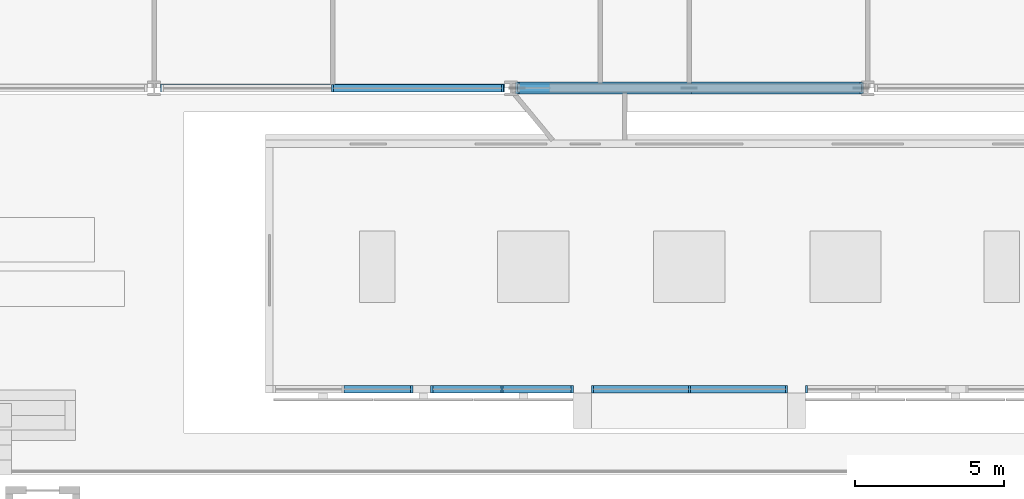
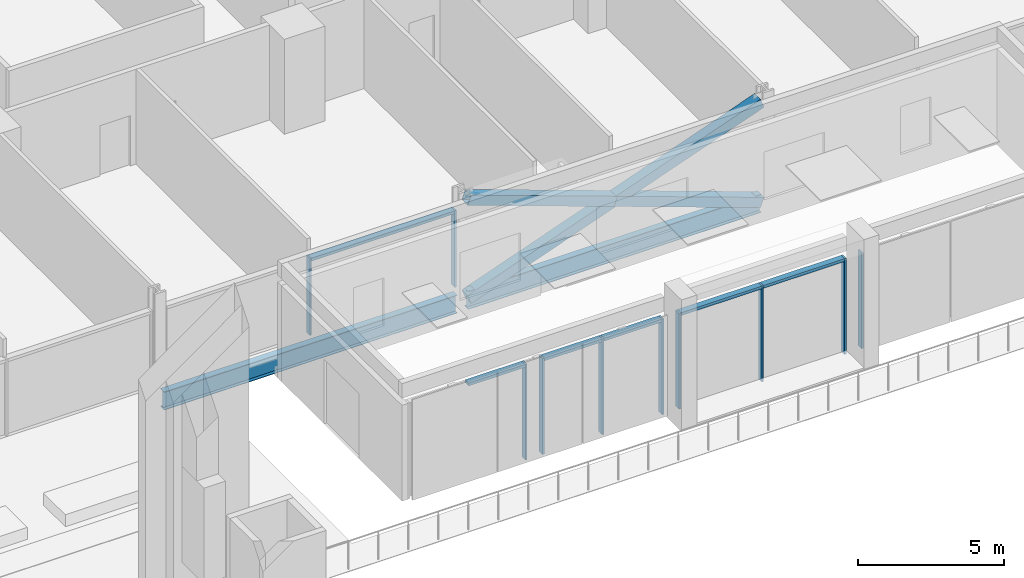
# One storey, part 3 of 39: 19 members, 2 beams, 5 elements without a shape of their own.
"""IFC4 building model written with IfcOpenShell, lengths in metres."""

from ifc_helpers import new_model, si_unit, direction, frame, origin, origin_2d, place, context, subcontext, project, spatial, rectangle, hollow_rectangle, i_section, extrude, material, material_profile, profile_set, type_object, element, aggregate, save


model = new_model("IFC4")

# Units and contexts
model_context = context("Model", 3, precision=1e-05, world=origin(), true_north=direction((0.0, 1.0)))
body_context = subcontext(model_context, "Body", "Model", "MODEL_VIEW")
ifc_project = project(units=[si_unit("LENGTHUNIT", "METRE"), si_unit("AREAUNIT", "SQUARE_METRE"), si_unit("VOLUMEUNIT", "CUBIC_METRE"), si_unit("PLANEANGLEUNIT", "RADIAN"), si_unit("MASSUNIT", "GRAM", prefix="KILO")], contexts=[model_context])

# Site, building, storey
site_placement = place(None, origin())
site = spatial("IfcSite", under=ifc_project, at=site_placement, CompositionType="ELEMENT")
building_placement = place(site_placement, origin())
building = spatial("IfcBuilding", under=site, at=building_placement, Name="Mahtab Terrace Research Tower", CompositionType="ELEMENT")
storey_placement = place(building_placement, frame((0.0, 0.0, 7.199951171875)))
storey = spatial("IfcBuildingStorey", under=building, at=storey_placement, Name="L01", CompositionType="ELEMENT", Elevation=7.199951171875)

# Curtain wall, member
ifc_material_1 = material(Name="Garden pavilion curtain wall")
curtain_wall_type_1 = type_object("IfcCurtainWallType", Name="Garden pavilion curtain wall", PredefinedType="NOTDEFINED", material=ifc_material_1)
curtain_wall_1_placement = place(storey_placement, origin())
curtain_wall_1 = element("IfcCurtainWall", 1, at=curtain_wall_1_placement, inside=storey, type_object=curtain_wall_type_1, Name="PAV.cw.0", PredefinedType="NOTDEFINED")
ifc_material_2 = material(Name="Natural anodised aluminium", Category="aluminium")
ifc_material_profile_1 = material_profile(ifc_material_2, rectangle(XDim=0.239990234375, YDim=0.074951171875, at=origin_2d()), Name="MULLION 75x240")
ifc_profile_set_1 = profile_set([ifc_material_profile_1], Name="Natural anodised aluminium")
member_type_1 = type_object("IfcMemberType", Name="Garden pavilion curtain wall mullion", PredefinedType="MULLION", material=ifc_profile_set_1)
member_1_placement = place(storey_placement, frame((-9.33740234375, -33.125, 0.0), z_axis=(0.0, 0.0, 1.0), x_axis=(0.0, 1.0, 0.0)))
member_1 = element("IfcMember", 2, at=member_1_placement, type_object=member_type_1, Name="CWP-1 mullion 3", PredefinedType="MULLION", context=body_context, shape_type="SweptSolid", body=[
    extrude(rectangle(XDim=0.239990234375, YDim=0.074951171875, at=origin_2d()), origin(), (0.0, 0.0, 1.0), 4.0),
])

# Curtain wall, members
curtain_wall_2_placement = place(storey_placement, origin())
curtain_wall_2 = element("IfcCurtainWall", 3, at=curtain_wall_2_placement, inside=storey, type_object=curtain_wall_type_1, Name="PAV.cw.1", PredefinedType="NOTDEFINED")
member_2_placement = place(storey_placement, frame((-8.66259765625, -33.125, 0.0), z_axis=(0.0, 0.0, 1.0), x_axis=(0.0, 1.0, 0.0)))
member_2 = element("IfcMember", 4, at=member_2_placement, type_object=member_type_1, Name="CWP-1 mullion 1", PredefinedType="MULLION", context=body_context, shape_type="SweptSolid", body=[
    extrude(rectangle(XDim=0.239990234375, YDim=0.074951171875, at=origin_2d()), origin(), (0.0, 0.0, 1.0), 4.0),
])
member_3_placement = place(storey_placement, frame((-6.300048828125, -33.125, 0.0), z_axis=(0.0, 0.0, 1.0), x_axis=(0.0, 1.0, 0.0)))
member_3 = element("IfcMember", 5, at=member_3_placement, type_object=member_type_1, Name="CWP-1 mullion 2", PredefinedType="MULLION", context=body_context, shape_type="SweptSolid", body=[
    extrude(rectangle(XDim=0.239990234375, YDim=0.074951171875, at=origin_2d()), origin(), (0.0, 0.0, 1.0), 4.0),
])
member_4_placement = place(storey_placement, frame((-3.9375, -33.125, 0.0), z_axis=(0.0, 0.0, 1.0), x_axis=(0.0, 1.0, 0.0)))
member_4 = element("IfcMember", 6, at=member_4_placement, type_object=member_type_1, Name="CWP-1 mullion 3", PredefinedType="MULLION", context=body_context, shape_type="SweptSolid", body=[
    extrude(rectangle(XDim=0.239990234375, YDim=0.074951171875, at=origin_2d()), origin(), (0.0, 0.0, 1.0), 4.0),
])

curtain_wall_3_placement = place(storey_placement, origin())
curtain_wall_3 = element("IfcCurtainWall", 7, at=curtain_wall_3_placement, inside=storey, type_object=curtain_wall_type_1, Name="PAV.cw.2", PredefinedType="NOTDEFINED")
member_5_placement = place(storey_placement, frame((-3.262451171875, -33.125, 0.0), z_axis=(0.0, 0.0, 1.0), x_axis=(0.0, 1.0, 0.0)))
member_5 = element("IfcMember", 8, at=member_5_placement, type_object=member_type_1, Name="CWP-1 mullion 1", PredefinedType="MULLION", context=body_context, shape_type="SweptSolid", body=[
    extrude(rectangle(XDim=0.239990234375, YDim=0.074951171875, at=origin_2d()), origin(), (0.0, 0.0, 1.0), 4.0),
])
member_6_placement = place(storey_placement, frame((0.0, -33.125, 0.0), z_axis=(0.0, 0.0, 1.0), x_axis=(0.0, 1.0, 0.0)))
member_6 = element("IfcMember", 9, at=member_6_placement, type_object=member_type_1, Name="CWP-1 mullion 2", PredefinedType="MULLION", context=body_context, shape_type="SweptSolid", body=[
    extrude(rectangle(XDim=0.239990234375, YDim=0.074951171875, at=origin_2d()), origin(), (0.0, 0.0, 1.0), 4.0),
])
member_7_placement = place(storey_placement, frame((3.262451171875, -33.125, 0.0), z_axis=(0.0, 0.0, 1.0), x_axis=(0.0, 1.0, 0.0)))
member_7 = element("IfcMember", 10, at=member_7_placement, type_object=member_type_1, Name="CWP-1 mullion 3", PredefinedType="MULLION", context=body_context, shape_type="SweptSolid", body=[
    extrude(rectangle(XDim=0.239990234375, YDim=0.074951171875, at=origin_2d()), origin(), (0.0, 0.0, 1.0), 4.0),
])

# Curtain wall, member
curtain_wall_4_placement = place(storey_placement, origin())
curtain_wall_4 = element("IfcCurtainWall", 11, at=curtain_wall_4_placement, inside=storey, type_object=curtain_wall_type_1, Name="PAV.cw.3", PredefinedType="NOTDEFINED")
member_8_placement = place(storey_placement, frame((3.9375, -33.125, 0.0), z_axis=(0.0, 0.0, 1.0), x_axis=(0.0, 1.0, 0.0)))
member_8 = element("IfcMember", 12, at=member_8_placement, type_object=member_type_1, Name="CWP-1 mullion 1", PredefinedType="MULLION", context=body_context, shape_type="SweptSolid", body=[
    extrude(rectangle(XDim=0.239990234375, YDim=0.074951171875, at=origin_2d()), origin(), (0.0, 0.0, 1.0), 4.0),
])
aggregate(curtain_wall_4, [member_8])

# Member
ifc_material_profile_2 = material_profile(ifc_material_2, rectangle(XDim=0.239990234375, YDim=0.1201171875, at=origin_2d()), Name="TRANSOM 120x240")
ifc_profile_set_2 = profile_set([ifc_material_profile_2], Name="Natural anodised aluminium")
member_type_2 = type_object("IfcMemberType", Name="Garden pavilion curtain wall transom", PredefinedType="USERDEFINED", material=ifc_profile_set_2)
member_9_placement = place(storey_placement, frame((-11.612548828125, -33.125, 3.93994140625), z_axis=(1.0, 0.0, 0.0), x_axis=(0.0, 1.0, 0.0)))
member_9 = element("IfcMember", 13, at=member_9_placement, type_object=member_type_2, Name="CWP-1 transom 2", ObjectType="TRANSOM", PredefinedType="USERDEFINED", context=body_context, shape_type="SweptSolid", body=[
    extrude(rectangle(XDim=0.239990234375, YDim=0.1201171875, at=origin_2d()), origin(), (0.0, 0.0, 1.0), 2.237548828125),
])

aggregate(curtain_wall_1, [member_1, member_9])

member_10_placement = place(storey_placement, frame((-8.625, -33.125, 3.93994140625), z_axis=(1.0, 0.0, 0.0), x_axis=(0.0, 1.0, 0.0)))
member_10 = element("IfcMember", 14, at=member_10_placement, type_object=member_type_2, Name="CWP-1 transom 1", ObjectType="TRANSOM", PredefinedType="USERDEFINED", context=body_context, shape_type="SweptSolid", body=[
    extrude(rectangle(XDim=0.239990234375, YDim=0.1201171875, at=origin_2d()), origin(), (0.0, 0.0, 1.0), 2.28759765625),
])

member_11_placement = place(storey_placement, frame((-6.262451171875, -33.125, 3.93994140625), z_axis=(1.0, 0.0, 0.0), x_axis=(0.0, 1.0, 0.0)))
member_11 = element("IfcMember", 15, at=member_11_placement, type_object=member_type_2, Name="CWP-1 transom 2", ObjectType="TRANSOM", PredefinedType="USERDEFINED", context=body_context, shape_type="SweptSolid", body=[
    extrude(rectangle(XDim=0.239990234375, YDim=0.1201171875, at=origin_2d()), origin(), (0.0, 0.0, 1.0), 2.287353515625),
])

aggregate(curtain_wall_2, [member_2, member_3, member_4, member_10, member_11])

member_12_placement = place(storey_placement, frame((-3.22509765625, -33.125, 3.93994140625), z_axis=(1.0, 0.0, 0.0), x_axis=(0.0, 1.0, 0.0)))
member_12 = element("IfcMember", 16, at=member_12_placement, type_object=member_type_2, Name="CWP-1 transom 1", ObjectType="TRANSOM", PredefinedType="USERDEFINED", context=body_context, shape_type="SweptSolid", body=[
    extrude(rectangle(XDim=0.239990234375, YDim=0.1201171875, at=origin_2d()), origin(), (0.0, 0.0, 1.0), 3.1875),
])

member_13_placement = place(storey_placement, frame((0.03759765625, -33.125, 3.93994140625), z_axis=(1.0, 0.0, 0.0), x_axis=(0.0, 1.0, 0.0)))
member_13 = element("IfcMember", 17, at=member_13_placement, type_object=member_type_2, Name="CWP-1 transom 2", ObjectType="TRANSOM", PredefinedType="USERDEFINED", context=body_context, shape_type="SweptSolid", body=[
    extrude(rectangle(XDim=0.239990234375, YDim=0.1201171875, at=origin_2d()), origin(), (0.0, 0.0, 1.0), 3.1875),
])

aggregate(curtain_wall_3, [member_5, member_6, member_7, member_12, member_13])

# Members
ifc_material_3 = material(Name="Steel ASTM A500 Gr C", Category="steel")
ifc_material_profile_3 = material_profile(ifc_material_3, hollow_rectangle(XDim=0.406494140625, YDim=0.406494140625, WallThickness=0.01904296875, at=origin_2d()), Name="HSS16X16X3/4")
ifc_profile_set_3 = profile_set([ifc_material_profile_3], Name="Steel ASTM A500 Gr C")
member_type_3 = type_object("IfcMemberType", Name="HSS 16x16x3/4 brace XB161634", PredefinedType="BRACE", material=ifc_profile_set_3)
member_14_placement = place(storey_placement, frame((-5.7841796875, -23.0, -0.64111328125), z_axis=(0.941388097231, 0.0, 0.337325436917), x_axis=(0.0, 1.0, 0.0)))
element("IfcMember", 18, at=member_14_placement, inside=storey, type_object=member_type_3, Name="Exoskeleton brace L01 15 a", PredefinedType="BRACE", context=body_context, shape_type="SweptSolid", body=[
    extrude(hollow_rectangle(XDim=0.406494140625, YDim=0.406494140625, WallThickness=0.01904296875, at=origin_2d()), origin(), (0.0, 0.0, 1.0), 12.28857421875),
])
for number, where, z_axis, x_axis, name in (
    (19, (5.7841796875, -23.0, -0.64111328125), (-0.941381788192, 0.0, 0.337343043295), (0.0, -1.0, 0.0), "Exoskeleton brace L01 15 b1"),
    (20, (0.0, -23.0, 1.431640625), (-0.941394406025, 0.0, 0.337307830185), (0.0, -1.0, 0.0), "Exoskeleton brace L01 15 b2"),
):
    element("IfcMember", number, at=place(storey_placement, frame(where, z_axis=z_axis, x_axis=x_axis)), inside=storey, type_object=member_type_3, Name=name, PredefinedType="BRACE", context=body_context, shape_type="SweptSolid", body=[
        extrude(hollow_rectangle(XDim=0.406494140625, YDim=0.406494140625, WallThickness=0.01904296875, at=origin_2d()), origin(), (0.0, 0.0, 1.0), 6.144287109375),
    ])

# Curtain wall, members
ifc_material_4 = material(Name="Sky lounge full-height curtain wall")
curtain_wall_type_2 = type_object("IfcCurtainWallType", Name="Sky lounge full-height curtain wall", PredefinedType="NOTDEFINED", material=ifc_material_4)
curtain_wall_5_placement = place(storey_placement, origin())
curtain_wall_5 = element("IfcCurtainWall", 21, at=curtain_wall_5_placement, inside=storey, type_object=curtain_wall_type_2, Name="EN.L01.13.24", PredefinedType="NOTDEFINED")
ifc_material_profile_4 = material_profile(ifc_material_2, rectangle(XDim=0.25, YDim=0.070068359375, at=origin_2d()), Name="MULLION 70x250")
ifc_profile_set_4 = profile_set([ifc_material_profile_4], Name="Natural anodised aluminium")
member_type_4 = type_object("IfcMemberType", Name="Sky lounge full-height curtain wall mullion", PredefinedType="MULLION", material=ifc_profile_set_4)
member_15_placement = place(storey_placement, frame((-12.0, -23.0, 0.0), z_axis=(0.0, 0.0, 1.0), x_axis=(0.0, 1.0, 0.0)))
member_15 = element("IfcMember", 22, at=member_15_placement, type_object=member_type_4, Name="CWS-1 mullion 2", PredefinedType="MULLION", context=body_context, shape_type="SweptSolid", body=[
    extrude(rectangle(XDim=0.25, YDim=0.070068359375, at=origin_2d()), origin(), (0.0, 0.0, 1.0), 3.203125),
])
member_16_placement = place(storey_placement, frame((-6.283935546875, -23.0, 0.0), z_axis=(0.0, 0.0, 1.0), x_axis=(0.0, 1.0, 0.0)))
member_16 = element("IfcMember", 23, at=member_16_placement, type_object=member_type_4, Name="CWS-1 mullion 3", PredefinedType="MULLION", context=body_context, shape_type="SweptSolid", body=[
    extrude(rectangle(XDim=0.25, YDim=0.070068359375, at=origin_2d()), origin(), (0.0, 0.0, 1.0), 3.203125),
])
ifc_material_profile_5 = material_profile(ifc_material_2, rectangle(XDim=0.25, YDim=0.1201171875, at=origin_2d()), Name="TRANSOM 120x250")
ifc_profile_set_5 = profile_set([ifc_material_profile_5], Name="Natural anodised aluminium")
member_type_5 = type_object("IfcMemberType", Name="Sky lounge full-height curtain wall transom", PredefinedType="USERDEFINED", material=ifc_profile_set_5)
member_17_placement = place(storey_placement, frame((-11.965087890625, -23.0, 3.14306640625), z_axis=(1.0, 0.0, 0.0), x_axis=(0.0, 1.0, 0.0)))
member_17 = element("IfcMember", 24, at=member_17_placement, type_object=member_type_5, Name="CWS-1 transom 2", ObjectType="TRANSOM", PredefinedType="USERDEFINED", context=body_context, shape_type="SweptSolid", body=[
    extrude(rectangle(XDim=0.25, YDim=0.1201171875, at=origin_2d()), origin(), (0.0, 0.0, 1.0), 5.64599609375),
])
aggregate(curtain_wall_5, [member_15, member_16, member_17])

# Beams
ifc_material_5 = material(Name="Steel ASTM A992 Gr 50", Category="steel")
ifc_material_profile_6 = material_profile(ifc_material_5, i_section(OverallWidth=0.2666015625, OverallDepth=0.7568359375, WebThickness=0.013916015625, FlangeThickness=0.019287109375, at=origin_2d()), Name="W30X108")
ifc_profile_set_6 = profile_set([ifc_material_profile_6], Name="Steel ASTM A992 Gr 50")
beam_type = type_object("IfcBeamType", Name="W30x108 beam BS30108", PredefinedType="BEAM", material=ifc_profile_set_6)
for number, where, z_axis, x_axis, name in (
    (25, (-17.7841796875, -23.0, -0.718505859375), (1.0, 0.0, 0.0), (0.0, 1.0, 0.0), "Spandrel beam L01 14"),
    (26, (-5.7841796875, -23.0, -0.718505859375), (1.0, 0.0, 0.0), (0.0, 1.0, 0.0), "Spandrel beam L01 15"),
):
    element("IfcBeam", number, at=place(storey_placement, frame(where, z_axis=z_axis, x_axis=x_axis)), inside=storey, type_object=beam_type, Name=name, PredefinedType="BEAM", context=body_context, shape_type="SweptSolid", body=[
        extrude(i_section(OverallWidth=0.2666015625, OverallDepth=0.7568359375, WebThickness=0.013916015625, FlangeThickness=0.019287109375, at=origin_2d()), origin(), (0.0, 0.0, 1.0), 11.568359375),
    ])

save(model, "model.ifc")
